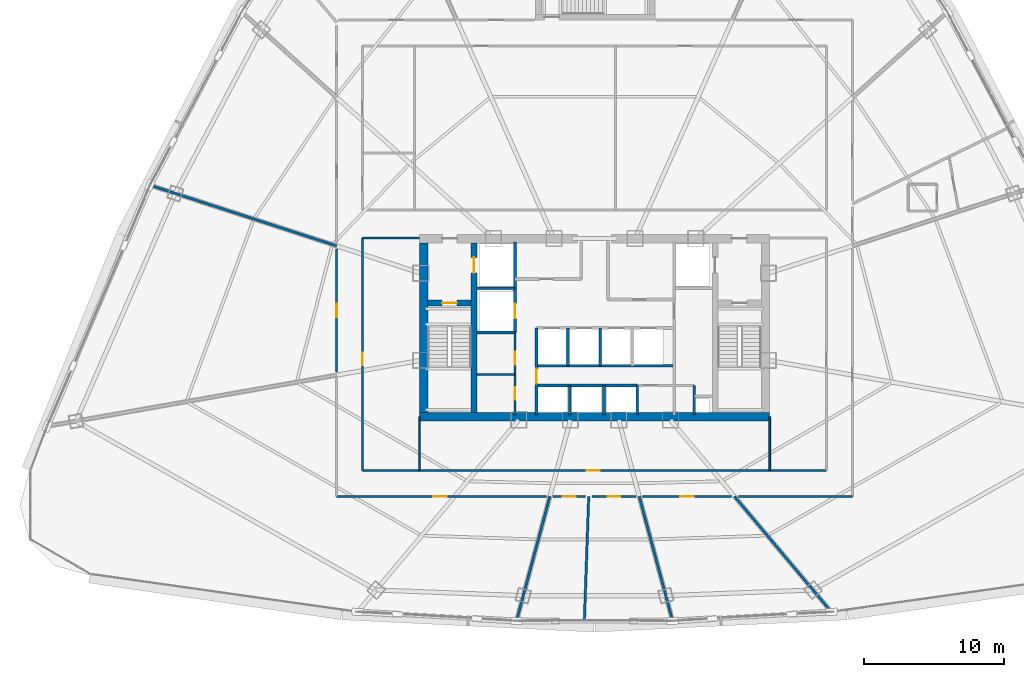
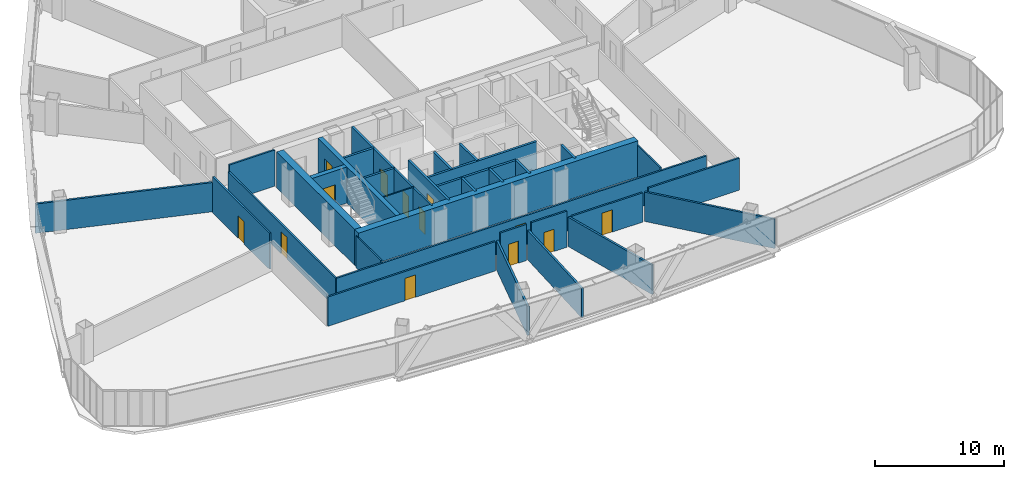
# One storey, part 35 of 42: 34 walls, 13 doors, 13 openings.
"""IFC4 building model written with IfcOpenShell, lengths in metres."""

from ifc_helpers import new_model, si_unit, direction, frame, frame_2d, origin, origin_with_axes, place, context, subcontext, project, spatial, rectangle, extrude, source, transform, mapped, material, layer, layer_set, type_object, element, fill, save


model = new_model("IFC4")

# Units and contexts
model_context = context("Model", 3, precision=1e-05, world=origin(), true_north=direction((0.0, 1.0)))
body_context = subcontext(model_context, "Body", "Model", "MODEL_VIEW")
ifc_project = project(units=[si_unit("LENGTHUNIT", "METRE"), si_unit("AREAUNIT", "SQUARE_METRE"), si_unit("VOLUMEUNIT", "CUBIC_METRE"), si_unit("PLANEANGLEUNIT", "RADIAN"), si_unit("MASSUNIT", "GRAM", prefix="KILO"), si_unit("THERMODYNAMICTEMPERATUREUNIT", "KELVIN"), si_unit("POWERUNIT", "WATT")], contexts=[model_context])

# Site, building, storey
site_placement = place(None, origin())
site = spatial("IfcSite", under=ifc_project, at=site_placement, CompositionType="ELEMENT")
building_placement = place(site_placement, origin())
building = spatial("IfcBuilding", under=site, at=building_placement, Name="Yunzhuo Pagoda Commons", CompositionType="ELEMENT")
storey_placement = place(building_placement, frame((0.0, 0.0, 129.830078125)))
storey = spatial("IfcBuildingStorey", under=building, at=storey_placement, Name="L32", CompositionType="ELEMENT", Elevation=129.830078125)

# Walls
ifc_material_1 = material(Name="Concrete C60", Category="concrete")
ifc_layer_1 = layer(ifc_material_1, 0.60009765625)
ifc_layer_set_1 = layer_set([ifc_layer_1], Name="Concrete C60")
wall_type_1 = type_object("IfcWallType", Name="W-C02 Mid Core Shear Wall 600", PredefinedType="SHEAR", material=ifc_layer_set_1)
wall_1_placement = place(storey_placement, frame((35.5, 27.5, 0.0), z_axis=(0.0, 0.0, 1.0), x_axis=(1.0, 0.0, 0.0)))
element("IfcWall", 1, at=wall_1_placement, inside=storey, type_object=wall_type_1, Name="L32 core shear wall S", PredefinedType="SHEAR", context=body_context, shape_type="SweptSolid", body=[
    extrude(rectangle(XDim=25.0, YDim=0.60009765625, at=frame_2d((12.5, 0.0))), origin(), (0.0, 0.0, 1.0), 3.419921875),
])
wall_2_placement = place(storey_placement, frame((35.800048828125, 27.800048828125, 0.0), z_axis=(0.0, 0.0, 1.0), x_axis=(0.0, 1.0, 0.0)))
element("IfcWall", 2, at=wall_2_placement, inside=storey, type_object=wall_type_1, Name="L32 core shear wall W", PredefinedType="SHEAR", context=body_context, shape_type="SweptSolid", body=[
    extrude(rectangle(XDim=12.099853515625, YDim=0.60009765625, at=frame_2d((6.0498046875, 0.0))), origin(), (0.0, 0.0, 1.0), 3.419921875),
])

# Wall, openings, doors
ifc_material_2 = material(Name="Gypsum plasterboard on acoustic stud")
ifc_layer_2 = layer(ifc_material_2, 0.155029296875)
ifc_layer_set_2 = layer_set([ifc_layer_2], Name="Gypsum plasterboard on acoustic stud")
wall_type_2 = type_object("IfcWallType", Name="W-COR2 Mid-Zone Rated Corridor Wall 155", PredefinedType="PARTITIONING", material=ifc_layer_set_2)
wall_3_placement = place(storey_placement, frame((42.320068359375, 27.60009765625, 0.0), z_axis=(0.0, 0.0, 1.0), x_axis=(0.0, 1.0, 0.0)))
wall_3 = element("IfcWall", 3, at=wall_3_placement, inside=storey, type_object=wall_type_2, Name="L32 interior wall IW-L32-CSWE", PredefinedType="PARTITIONING", context=body_context, shape_type="SweptSolid", body=[
    extrude(rectangle(XDim=5.89990234375, YDim=0.155029296875, at=frame_2d((2.949951171875, 0.0))), origin(), (0.0, 0.0, 1.0), 3.419921875),
])
opening_1_placement = place(wall_3_placement, frame((1.10009765625, 0.0, 0.0)))
opening_1 = element("IfcOpeningElement", 4, at=opening_1_placement, cuts=wall_3, Name="Opening D-03", PredefinedType="OPENING", context=body_context, shape_type="SweptSolid", body=[
    extrude(rectangle(XDim=0.89990234375, YDim=2.10009765625, at=frame_2d((0.449951171875, 1.050048828125))), frame((0.0, 0.08740234375, 0.0), z_axis=(0.0, -1.0, 0.0), x_axis=(1.0, 0.0, 0.0)), (0.0, 0.0, 1.0), 0.175048828125),
])
opening_2_placement = place(wall_3_placement, frame((3.60009765625, 0.0, 0.0)))
opening_2 = element("IfcOpeningElement", 5, at=opening_2_placement, cuts=wall_3, Name="Opening D-11", PredefinedType="OPENING", context=body_context, shape_type="SweptSolid", body=[
    extrude(rectangle(XDim=0.93994140625, YDim=2.10009765625, at=frame_2d((0.469970703125, 1.050048828125))), frame((0.0, 0.08740234375, 0.0), z_axis=(0.0, -1.0, 0.0), x_axis=(1.0, 0.0, 0.0)), (0.0, 0.0, 1.0), 0.175048828125),
])
ifc_material_3 = material(Name="Galvanized fire-resisting metal leaf")
door_type_1 = type_object("IfcDoorType", Name="D-03 Core Service Fire Door 900x2100", OperationType="NOTDEFINED", PredefinedType="DOOR", material=ifc_material_3)
shared_shape_1 = source(origin(), body_context, "Body", "SweptSolid", [
    extrude(rectangle(XDim=0.89990234375, YDim=2.10009765625, at=frame_2d((0.449951171875, 1.050048828125))), frame((0.0, 0.02490234375, 0.0), z_axis=(0.0, -1.0, 0.0), x_axis=(1.0, 0.0, 0.0)), (0.0, 0.0, 1.0), 0.050048828125),
])
door_1_placement = place(opening_1_placement, origin_with_axes())
door_1 = element("IfcDoor", 6, at=door_1_placement, inside=storey, type_object=door_type_1, Name="L32 housekeeping door", OperationType="SINGLE_SWING_RIGHT", OverallHeight=2.10009765625, OverallWidth=0.89990234375, PredefinedType="DOOR", context=body_context, shape_type="MappedRepresentation", body=[
    mapped(shared_shape_1, transform((0.0, 0.0, 0.0), scale=1.0)),
])
fill(opening_1, door_1)
door_type_2 = type_object("IfcDoorType", Name="D-11 Accessible Washroom Fire Door 940x2100", OperationType="NOTDEFINED", PredefinedType="DOOR", material=ifc_material_3)
shared_shape_2 = source(origin(), body_context, "Body", "SweptSolid", [
    extrude(rectangle(XDim=0.93994140625, YDim=2.10009765625, at=frame_2d((0.469970703125, 1.050048828125))), frame((0.0, 0.02490234375, 0.0), z_axis=(0.0, -1.0, 0.0), x_axis=(1.0, 0.0, 0.0)), (0.0, 0.0, 1.0), 0.050048828125),
])
door_2_placement = place(opening_2_placement, origin_with_axes())
door_2 = element("IfcDoor", 7, at=door_2_placement, inside=storey, type_object=door_type_2, Name="L32 core WC door", OperationType="SINGLE_SWING_RIGHT", OverallHeight=2.10009765625, OverallWidth=0.93994140625, PredefinedType="DOOR", context=body_context, shape_type="MappedRepresentation", body=[
    mapped(shared_shape_2, transform((0.0, 0.0, 0.0), scale=1.0)),
])
fill(opening_2, door_2)

# Wall, opening, door
wall_4_placement = place(storey_placement, frame((31.449951171875, 23.64990234375, 0.0), z_axis=(0.0, 0.0, 1.0), x_axis=(0.0, 1.0, 0.0)))
wall_4 = element("IfcWall", 8, at=wall_4_placement, inside=storey, type_object=wall_type_2, Name="L32 interior wall IW-L32-SFLW", PredefinedType="PARTITIONING", context=body_context, shape_type="SweptSolid", body=[
    extrude(rectangle(XDim=16.60009765625, YDim=0.155029296875, at=frame_2d((8.300048828125, 0.0))), origin(), (0.0, 0.0, 1.0), 2.77001953125),
])
opening_3_placement = place(wall_4_placement, frame((7.5, 0.0, 0.0)))
opening_3 = element("IfcOpeningElement", 9, at=opening_3_placement, cuts=wall_4, Name="Opening D-12", PredefinedType="OPENING", context=body_context, shape_type="SweptSolid", body=[
    extrude(rectangle(XDim=0.89990234375, YDim=2.080078125, at=frame_2d((0.449951171875, 1.0400390625))), frame((0.0, 0.08740234375, 0.0), z_axis=(0.0, -1.0, 0.0), x_axis=(1.0, 0.0, 0.0)), (0.0, 0.0, 1.0), 0.175048828125),
])
ifc_material_4 = material(Name="Powder-coated aluminium and timber acoustic leaf", Category="wood")
door_type_3 = type_object("IfcDoorType", Name="D-12 Quiet Study Interior Door 900x2080", OperationType="NOTDEFINED", PredefinedType="DOOR", material=ifc_material_4)
shared_shape_3 = source(origin(), body_context, "Body", "SweptSolid", [
    extrude(rectangle(XDim=0.89990234375, YDim=2.080078125, at=frame_2d((0.449951171875, 1.0400390625))), frame((0.0, 0.02490234375, 0.0), z_axis=(0.0, -1.0, 0.0), x_axis=(1.0, 0.0, 0.0)), (0.0, 0.0, 1.0), 0.050048828125),
])
door_3_placement = place(opening_3_placement, origin_with_axes())
door_3 = element("IfcDoor", 10, at=door_3_placement, inside=storey, type_object=door_type_3, Name="L32 west study workroom door", OperationType="SINGLE_SWING_LEFT", OverallHeight=2.080078125, OverallWidth=0.89990234375, PredefinedType="DOOR", context=body_context, shape_type="MappedRepresentation", body=[
    mapped(shared_shape_3, transform((0.0, 0.0, 0.0), scale=1.0)),
])
fill(opening_3, door_3)

wall_5_placement = place(storey_placement, frame((31.449951171875, 23.64990234375, 0.0), z_axis=(0.0, 0.0, 1.0), x_axis=(1.0, 0.0, 0.0)))
wall_5 = element("IfcWall", 11, at=wall_5_placement, inside=storey, type_object=wall_type_2, Name="L32 interior wall IW-L32-SFLS", PredefinedType="PARTITIONING", context=body_context, shape_type="SweptSolid", body=[
    extrude(rectangle(XDim=33.10009765625, YDim=0.155029296875, at=frame_2d((16.550048828125, 0.0))), origin(), (0.0, 0.0, 1.0), 2.77001953125),
])
opening_4_placement = place(wall_5_placement, frame((16.0, 0.0, 0.0)))
opening_4 = element("IfcOpeningElement", 12, at=opening_4_placement, cuts=wall_5, Name="Opening D-04", PredefinedType="OPENING", context=body_context, shape_type="SweptSolid", body=[
    extrude(rectangle(XDim=0.919921875, YDim=2.10009765625, at=frame_2d((0.4599609375, 1.050048828125))), frame((0.0, 0.08740234375, 0.0), z_axis=(0.0, -1.0, 0.0), x_axis=(1.0, 0.0, 0.0)), (0.0, 0.0, 1.0), 0.175048828125),
])
door_type_4 = type_object("IfcDoorType", Name="D-04 Bedroom & Study Interior Door 920x2100", OperationType="NOTDEFINED", PredefinedType="DOOR", material=ifc_material_4)
shared_shape_4 = source(origin(), body_context, "Body", "SweptSolid", [
    extrude(rectangle(XDim=0.919921875, YDim=2.10009765625, at=frame_2d((0.4599609375, 1.050048828125))), frame((0.0, 0.02490234375, 0.0), z_axis=(0.0, -1.0, 0.0), x_axis=(1.0, 0.0, 0.0)), (0.0, 0.0, 1.0), 0.050048828125),
])
door_4_placement = place(opening_4_placement, frame((0.919921875, 0.0, 0.0), z_axis=(0.0, 0.0, 1.0), x_axis=(-1.0, 0.0, 0.0)))
door_4 = element("IfcDoor", 13, at=door_4_placement, inside=storey, type_object=door_type_4, Name="L32 south seminar room door", OperationType="SINGLE_SWING_RIGHT", OverallHeight=2.10009765625, OverallWidth=0.919921875, PredefinedType="DOOR", context=body_context, shape_type="MappedRepresentation", body=[
    mapped(shared_shape_4, transform((0.0, 0.0, 0.0), scale=1.0)),
])
fill(opening_4, door_4)

# Wall
wall_6_placement = place(storey_placement, frame((31.449951171875, 40.25, 0.0), z_axis=(0.0, 0.0, 1.0), x_axis=(1.0, 0.0, 0.0)))
element("IfcWall", 14, at=wall_6_placement, inside=storey, type_object=wall_type_2, Name="L32 interior wall IW-L32-SFLNW", PredefinedType="PARTITIONING", context=body_context, shape_type="SweptSolid", body=[
    extrude(rectangle(XDim=4.050048828125, YDim=0.155029296875, at=frame_2d((2.02490234375, 0.0))), origin(), (0.0, 0.0, 1.0), 3.419921875),
])

# Wall, opening, door
wall_7_placement = place(storey_placement, frame((29.60009765625, 30.67529296875, 0.0), z_axis=(0.0, 0.0, 1.0), x_axis=(0.0, 1.0, 0.0)))
wall_7 = element("IfcWall", 15, at=wall_7_placement, inside=storey, type_object=wall_type_2, Name="L32 interior wall IW-L32-CWL02", PredefinedType="PARTITIONING", context=body_context, shape_type="SweptSolid", body=[
    extrude(rectangle(XDim=8.783447265625, YDim=0.155029296875, at=frame_2d((4.3916015625, 0.0))), origin(), (0.0, 0.0, 1.0), 3.419921875),
])
opening_5_placement = place(wall_7_placement, frame((3.916748046875, 0.0, 0.0)))
opening_5 = element("IfcOpeningElement", 16, at=opening_5_placement, cuts=wall_7, Name="Opening D-07", PredefinedType="OPENING", context=body_context, shape_type="SweptSolid", body=[
    extrude(rectangle(XDim=0.9599609375, YDim=2.1201171875, at=frame_2d((0.47998046875, 1.06005859375))), frame((0.0, 0.08740234375, 0.0), z_axis=(0.0, -1.0, 0.0), x_axis=(1.0, 0.0, 0.0)), (0.0, 0.0, 1.0), 0.175048828125),
])
door_type_5 = type_object("IfcDoorType", Name="D-07 Mid-Zone Suite Entrance Fire Door 960x2120", OperationType="NOTDEFINED", PredefinedType="DOOR", material=ifc_material_3)
shared_shape_5 = source(origin(), body_context, "Body", "SweptSolid", [
    extrude(rectangle(XDim=0.9599609375, YDim=2.1201171875, at=frame_2d((0.47998046875, 1.06005859375))), frame((0.0, 0.02490234375, 0.0), z_axis=(0.0, -1.0, 0.0), x_axis=(1.0, 0.0, 0.0)), (0.0, 0.0, 1.0), 0.050048828125),
])
door_5_placement = place(opening_5_placement, origin_with_axes())
door_5 = element("IfcDoor", 17, at=door_5_placement, inside=storey, type_object=door_type_5, Name="L32 unit 08 entrance door", OperationType="SINGLE_SWING_RIGHT", OverallHeight=2.1201171875, OverallWidth=0.9599609375, PredefinedType="DOOR", context=body_context, shape_type="MappedRepresentation", body=[
    mapped(shared_shape_5, transform((0.0, 0.0, 0.0), scale=1.0)),
])
fill(opening_5, door_5)

# Wall
wall_8_placement = place(storey_placement, frame((66.39990234375, 21.800048828125, 0.0), z_axis=(0.0, 0.0, 1.0), x_axis=(-1.0, 0.0, 0.0)))
element("IfcWall", 18, at=wall_8_placement, inside=storey, type_object=wall_type_2, Name="L32 interior wall IW-L32-CWL13", PredefinedType="PARTITIONING", context=body_context, shape_type="SweptSolid", body=[
    extrude(rectangle(XDim=8.12744140625, YDim=0.155029296875, at=frame_2d((4.063720703125, 0.0))), origin(), (0.0, 0.0, 1.0), 3.02001953125),
])

# Wall, opening, door
wall_9_placement = place(storey_placement, frame((57.765380859375, 21.800048828125, 0.0), z_axis=(0.0, 0.0, 1.0), x_axis=(-1.0, 0.0, 0.0)))
wall_9 = element("IfcWall", 19, at=wall_9_placement, inside=storey, type_object=wall_type_2, Name="L32 interior wall IW-L32-CWL14", PredefinedType="PARTITIONING", context=body_context, shape_type="SweptSolid", body=[
    extrude(rectangle(XDim=6.348876953125, YDim=0.155029296875, at=frame_2d((3.17431640625, 0.0))), origin(), (0.0, 0.0, 1.0), 2.77001953125),
])
opening_6_placement = place(wall_9_placement, frame((2.703369140625, 0.0, 0.0)))
opening_6 = element("IfcOpeningElement", 20, at=opening_6_placement, cuts=wall_9, Name="Opening D-07", PredefinedType="OPENING", context=body_context, shape_type="SweptSolid", body=[
    extrude(rectangle(XDim=0.9599609375, YDim=2.1201171875, at=frame_2d((0.47998046875, 1.06005859375))), frame((0.0, 0.08740234375, 0.0), z_axis=(0.0, -1.0, 0.0), x_axis=(1.0, 0.0, 0.0)), (0.0, 0.0, 1.0), 0.175048828125),
])
door_6_placement = place(opening_6_placement, origin_with_axes())
door_6 = element("IfcDoor", 21, at=door_6_placement, inside=storey, type_object=door_type_5, Name="L32 unit 12 entrance door", OperationType="SINGLE_SWING_RIGHT", OverallHeight=2.1201171875, OverallWidth=0.9599609375, PredefinedType="DOOR", context=body_context, shape_type="MappedRepresentation", body=[
    mapped(shared_shape_5, transform((0.0, 0.0, 0.0), scale=1.0)),
])
fill(opening_6, door_6)

wall_10_placement = place(storey_placement, frame((50.96875, 21.800048828125, 0.0), z_axis=(0.0, 0.0, 1.0), x_axis=(-1.0, 0.0, 0.0)))
wall_10 = element("IfcWall", 22, at=wall_10_placement, inside=storey, type_object=wall_type_2, Name="L32 interior wall IW-L32-CWL15", PredefinedType="PARTITIONING", context=body_context, shape_type="SweptSolid", body=[
    extrude(rectangle(XDim=3.16455078125, YDim=0.155029296875, at=frame_2d((1.582275390625, 0.0))), origin(), (0.0, 0.0, 1.0), 3.419921875),
])
opening_7_placement = place(wall_10_placement, frame((1.122314453125, 0.0, 0.0)))
opening_7 = element("IfcOpeningElement", 23, at=opening_7_placement, cuts=wall_10, Name="Opening D-04", PredefinedType="OPENING", context=body_context, shape_type="SweptSolid", body=[
    extrude(rectangle(XDim=0.919921875, YDim=2.10009765625, at=frame_2d((0.4599609375, 1.050048828125))), frame((0.0, 0.08740234375, 0.0), z_axis=(0.0, -1.0, 0.0), x_axis=(1.0, 0.0, 0.0)), (0.0, 0.0, 1.0), 0.175048828125),
])
door_7_placement = place(opening_7_placement, origin_with_axes())
door_7 = element("IfcDoor", 24, at=door_7_placement, inside=storey, type_object=door_type_4, Name="L32 fellow workroom 11 door", OperationType="SINGLE_SWING_LEFT", OverallHeight=2.10009765625, OverallWidth=0.919921875, PredefinedType="DOOR", context=body_context, shape_type="MappedRepresentation", body=[
    mapped(shared_shape_4, transform((0.0, 0.0, 0.0), scale=1.0)),
])
fill(opening_7, door_7)

wall_11_placement = place(storey_placement, frame((47.3642578125, 21.800048828125, 0.0), z_axis=(0.0, 0.0, 1.0), x_axis=(-1.0, 0.0, 0.0)))
wall_11 = element("IfcWall", 25, at=wall_11_placement, inside=storey, type_object=wall_type_2, Name="L32 interior wall IW-L32-CWL16", PredefinedType="PARTITIONING", context=body_context, shape_type="SweptSolid", body=[
    extrude(rectangle(XDim=2.3330078125, YDim=0.155029296875, at=frame_2d((1.16650390625, 0.0))), origin(), (0.0, 0.0, 1.0), 3.419921875),
])
opening_8_placement = place(wall_11_placement, frame((0.706298828125, 0.0, 0.0)))
opening_8 = element("IfcOpeningElement", 26, at=opening_8_placement, cuts=wall_11, Name="Opening D-04", PredefinedType="OPENING", context=body_context, shape_type="SweptSolid", body=[
    extrude(rectangle(XDim=0.919921875, YDim=2.10009765625, at=frame_2d((0.4599609375, 1.050048828125))), frame((0.0, 0.08740234375, 0.0), z_axis=(0.0, -1.0, 0.0), x_axis=(1.0, 0.0, 0.0)), (0.0, 0.0, 1.0), 0.175048828125),
])
door_8_placement = place(opening_8_placement, origin_with_axes())
door_8 = element("IfcDoor", 27, at=door_8_placement, inside=storey, type_object=door_type_4, Name="L32 fellow workroom 10 door", OperationType="SINGLE_SWING_RIGHT", OverallHeight=2.10009765625, OverallWidth=0.919921875, PredefinedType="DOOR", context=body_context, shape_type="MappedRepresentation", body=[
    mapped(shared_shape_4, transform((0.0, 0.0, 0.0), scale=1.0)),
])
fill(opening_8, door_8)

wall_12_placement = place(storey_placement, frame((44.58349609375, 21.800048828125, 0.0), z_axis=(0.0, 0.0, 1.0), x_axis=(-1.0, 0.0, 0.0)))
wall_12 = element("IfcWall", 28, at=wall_12_placement, inside=storey, type_object=wall_type_2, Name="L32 interior wall IW-L32-CWL17", PredefinedType="PARTITIONING", context=body_context, shape_type="SweptSolid", body=[
    extrude(rectangle(XDim=14.9833984375, YDim=0.155029296875, at=frame_2d((7.49169921875, 0.0))), origin(), (0.0, 0.0, 1.0), 2.77001953125),
])
opening_9_placement = place(wall_12_placement, frame((7.1328125, 0.0, 0.0)))
opening_9 = element("IfcOpeningElement", 29, at=opening_9_placement, cuts=wall_12, Name="Opening D-07", PredefinedType="OPENING", context=body_context, shape_type="SweptSolid", body=[
    extrude(rectangle(XDim=0.9599609375, YDim=2.1201171875, at=frame_2d((0.47998046875, 1.06005859375))), frame((0.0, 0.08740234375, 0.0), z_axis=(0.0, -1.0, 0.0), x_axis=(1.0, 0.0, 0.0)), (0.0, 0.0, 1.0), 0.175048828125),
])
door_9_placement = place(opening_9_placement, origin_with_axes())
door_9 = element("IfcDoor", 30, at=door_9_placement, inside=storey, type_object=door_type_5, Name="L32 Shared Resident Kitchen and Pantry door", OperationType="SINGLE_SWING_LEFT", OverallHeight=2.1201171875, OverallWidth=0.9599609375, PredefinedType="DOOR", context=body_context, shape_type="MappedRepresentation", body=[
    mapped(shared_shape_5, transform((0.0, 0.0, 0.0), scale=1.0)),
])
fill(opening_9, door_9)

# Walls
ifc_layer_3 = layer(ifc_material_2, 0.1201171875)
ifc_layer_set_3 = layer_set([ifc_layer_3], Name="Gypsum plasterboard on acoustic stud")
wall_type_3 = type_object("IfcWallType", Name="W-PRT1 Suite & Bathroom Partition 120", PredefinedType="PARTITIONING", material=ifc_layer_set_3)
wall_13_placement = place(storey_placement, frame((39.60009765625, 30.5, 0.0), z_axis=(0.0, 0.0, 1.0), x_axis=(1.0, 0.0, 0.0)))
element("IfcWall", 31, at=wall_13_placement, inside=storey, type_object=wall_type_3, Name="L32 interior wall IW-L32-CB1", PredefinedType="PARTITIONING", context=body_context, shape_type="SweptSolid", body=[
    extrude(rectangle(XDim=2.719970703125, YDim=0.1201171875, at=frame_2d((1.35986328125, 0.0))), origin(), (0.0, 0.0, 1.0), 3.419921875),
])
for number, where, z_axis, x_axis, name in (
    (32, (35.5, 23.64990234375, 0.0), (0.0, 0.0, 1.0), (0.0, 1.0, 0.0), "L32 interior wall IW-L32-SFLD1"),
    (33, (60.5, 23.64990234375, 0.0), (0.0, 0.0, 1.0), (0.0, 1.0, 0.0), "L32 interior wall IW-L32-SFLD2"),
):
    element("IfcWall", number, at=place(storey_placement, frame(where, z_axis=z_axis, x_axis=x_axis)), inside=storey, type_object=wall_type_3, Name=name, PredefinedType="PARTITIONING", context=body_context, shape_type="SweptSolid", body=[
        extrude(rectangle(XDim=3.85009765625, YDim=0.1201171875, at=frame_2d((1.925048828125, 0.0))), origin(), (0.0, 0.0, 1.0), 3.02001953125),
    ])
ifc_layer_4 = layer(ifc_material_2, 0.175048828125)
ifc_layer_set_4 = layer_set([ifc_layer_4], Name="Gypsum plasterboard on acoustic stud")
wall_type_4 = type_object("IfcWallType", Name="W-PRT3 Mid-Zone Demising Wall 175", PredefinedType="PARTITIONING", material=ifc_layer_set_4)
wall_14_placement = place(storey_placement, frame((29.60009765625, 39.678466796875, 0.0), z_axis=(0.0, 0.0, 1.0), x_axis=(-0.95105622709, 0.309017884457, 0.0)))
element("IfcWall", 34, at=wall_14_placement, inside=storey, type_object=wall_type_4, Name="L32 interior wall IW-L32-RAD08", PredefinedType="PARTITIONING", context=body_context, shape_type="SweptSolid", body=[
    extrude(rectangle(XDim=14.006103515625, YDim=0.175048828125, at=frame_2d((7.0029296875, 0.0))), origin(), (0.0, 0.0, 1.0), 2.77001953125),
])
wall_15_placement = place(storey_placement, frame((44.811279296875, 21.800048828125, 0.0), z_axis=(0.0, 0.0, 1.0), x_axis=(-0.258799340884, -0.965931105803, 0.0)))
element("IfcWall", 35, at=wall_15_placement, inside=storey, type_object=wall_type_4, Name="L32 interior wall IW-L32-RAD10", PredefinedType="PARTITIONING", context=body_context, shape_type="SweptSolid", body=[
    extrude(rectangle(XDim=9.19580078125, YDim=0.175048828125, at=frame_2d((4.597900390625, 0.0))), origin(), (0.0, 0.0, 1.0), 2.77001953125),
])
wall_16_placement = place(storey_placement, frame((47.58447265625, 21.800048828125, 0.0), z_axis=(0.0, 0.0, 1.0), x_axis=(-0.034885165757, -0.999391327364, 0.0)))
element("IfcWall", 36, at=wall_16_placement, inside=storey, type_object=wall_type_4, Name="L32 interior wall IW-L32-RAD11", PredefinedType="PARTITIONING", context=body_context, shape_type="SweptSolid", body=[
    extrude(rectangle(XDim=8.887939453125, YDim=0.175048828125, at=frame_2d((4.44384765625, 0.0))), origin(), (0.0, 0.0, 1.0), 2.77001953125),
])
wall_17_placement = place(storey_placement, frame((51.188720703125, 21.800048828125, 0.0), z_axis=(0.0, 0.0, 1.0), x_axis=(0.258799340884, -0.965931105803, 0.0)))
element("IfcWall", 37, at=wall_17_placement, inside=storey, type_object=wall_type_4, Name="L32 interior wall IW-L32-RAD12", PredefinedType="PARTITIONING", context=body_context, shape_type="SweptSolid", body=[
    extrude(rectangle(XDim=9.19580078125, YDim=0.175048828125, at=frame_2d((4.597900390625, 0.0))), origin(), (0.0, 0.0, 1.0), 2.77001953125),
])
wall_18_placement = place(storey_placement, frame((57.9853515625, 21.800048828125, 0.0), z_axis=(0.0, 0.0, 1.0), x_axis=(0.642770875896, -0.766058484125, 0.0)))
element("IfcWall", 38, at=wall_18_placement, inside=storey, type_object=wall_type_4, Name="L32 interior wall IW-L32-RAD13", PredefinedType="PARTITIONING", context=body_context, shape_type="SweptSolid", body=[
    extrude(rectangle(XDim=10.754638671875, YDim=0.175048828125, at=frame_2d((5.37744140625, 0.0))), origin(), (0.0, 0.0, 1.0), 2.77001953125),
])

# Wall, opening, door
ifc_layer_5 = layer(ifc_material_1, 0.39990234375)
ifc_layer_set_5 = layer_set([ifc_layer_5], Name="Concrete C60")
wall_type_5 = type_object("IfcWallType", Name="W-S01 Internal Core Shear Web 400", PredefinedType="SHEAR", material=ifc_layer_set_5)
wall_19_placement = place(storey_placement, frame((39.39990234375, 27.800048828125, 0.0), z_axis=(0.0, 0.0, 1.0), x_axis=(0.0, 1.0, 0.0)))
wall_19 = element("IfcWall", 39, at=wall_19_placement, inside=storey, type_object=wall_type_5, Name="L32 core shear wall WEBW", PredefinedType="SHEAR", context=body_context, shape_type="SweptSolid", body=[
    extrude(rectangle(XDim=12.099853515625, YDim=0.39990234375, at=frame_2d((6.0498046875, 0.0))), origin(), (0.0, 0.0, 1.0), 3.419921875),
])
opening_10_placement = place(wall_19_placement, frame((9.949951171875, 0.0, 0.0)))
opening_10 = element("IfcOpeningElement", 40, at=opening_10_placement, cuts=wall_19, Name="Opening LD-01", PredefinedType="OPENING", context=body_context, shape_type="SweptSolid", body=[
    extrude(rectangle(XDim=1.10009765625, YDim=2.10009765625, at=frame_2d((0.550048828125, 1.050048828125))), frame((0.0, 0.2099609375, 0.0), z_axis=(0.0, -1.0, 0.0), x_axis=(1.0, 0.0, 0.0)), (0.0, 0.0, 1.0), 0.419921875),
])
door_type_6 = type_object("IfcDoorType", Name="LD-01 Firefighting Lift Landing Door 1100x2100", OperationType="DOUBLE_DOOR_SLIDING", PredefinedType="DOOR", material=ifc_material_3)
shared_shape_6 = source(origin(), body_context, "Body", "SweptSolid", [
    extrude(rectangle(XDim=1.10009765625, YDim=2.10009765625, at=frame_2d((0.550048828125, 1.050048828125))), frame((0.0, 0.02490234375, 0.0), z_axis=(0.0, -1.0, 0.0), x_axis=(1.0, 0.0, 0.0)), (0.0, 0.0, 1.0), 0.050048828125),
])
door_10_placement = place(opening_10_placement, frame((1.10009765625, 0.0, 0.0), z_axis=(0.0, 0.0, 1.0), x_axis=(-1.0, 0.0, 0.0)))
door_10 = element("IfcDoor", 41, at=door_10_placement, inside=storey, type_object=door_type_6, Name="L32 Firefighting lift FL-1 landing door", OperationType="DOUBLE_DOOR_SLIDING", OverallHeight=2.10009765625, OverallWidth=1.10009765625, PredefinedType="DOOR", context=body_context, shape_type="MappedRepresentation", body=[
    mapped(shared_shape_6, transform((0.0, 0.0, 0.0), scale=1.0)),
])
fill(opening_10, door_10)

wall_20_placement = place(storey_placement, frame((36.10009765625, 35.60009765625, 0.0), z_axis=(0.0, 0.0, 1.0), x_axis=(1.0, 0.0, 0.0)))
wall_20 = element("IfcWall", 42, at=wall_20_placement, inside=storey, type_object=wall_type_5, Name="L32 core shear wall STW", PredefinedType="SHEAR", context=body_context, shape_type="SweptSolid", body=[
    extrude(rectangle(XDim=3.099853515625, YDim=0.39990234375, at=frame_2d((1.5498046875, 0.0))), origin(), (0.0, 0.0, 1.0), 3.419921875),
])
opening_11_placement = place(wall_20_placement, frame((1.02001953125, 0.0, 0.0)))
opening_11 = element("IfcOpeningElement", 43, at=opening_11_placement, cuts=wall_20, Name="Opening D-01", PredefinedType="OPENING", context=body_context, shape_type="SweptSolid", body=[
    extrude(rectangle(XDim=1.050048828125, YDim=2.10009765625, at=frame_2d((0.52490234375, 1.050048828125))), frame((0.0, 0.2099609375, 0.0), z_axis=(0.0, -1.0, 0.0), x_axis=(1.0, 0.0, 0.0)), (0.0, 0.0, 1.0), 0.419921875),
])
door_type_7 = type_object("IfcDoorType", Name="D-01 Smokeproof Stair Fire Door 1050x2100", OperationType="NOTDEFINED", PredefinedType="DOOR", material=ifc_material_3)
shared_shape_7 = source(origin(), body_context, "Body", "SweptSolid", [
    extrude(rectangle(XDim=1.050048828125, YDim=2.10009765625, at=frame_2d((0.52490234375, 1.050048828125))), frame((0.0, 0.02490234375, 0.0), z_axis=(0.0, -1.0, 0.0), x_axis=(1.0, 0.0, 0.0)), (0.0, 0.0, 1.0), 0.050048828125),
])
door_11_placement = place(opening_11_placement, frame((1.050048828125, 0.0, 0.0), z_axis=(0.0, 0.0, 1.0), x_axis=(-1.0, 0.0, 0.0)))
door_11 = element("IfcDoor", 44, at=door_11_placement, inside=storey, type_object=door_type_7, Name="L32 Stair ST1 fire door", OperationType="SINGLE_SWING_LEFT", OverallHeight=2.10009765625, OverallWidth=1.050048828125, PredefinedType="DOOR", context=body_context, shape_type="MappedRepresentation", body=[
    mapped(shared_shape_7, transform((0.0, 0.0, 0.0), scale=1.0)),
])
fill(opening_11, door_11)

ifc_material_5 = material(Name="Concrete C40", Category="concrete")
ifc_layer_6 = layer(ifc_material_5, 0.199951171875)
ifc_layer_set_6 = layer_set([ifc_layer_6], Name="Concrete C40")
wall_type_6 = type_object("IfcWallType", Name="W-SHF Shaft & Stair Enclosure Wall 200", PredefinedType="SOLIDWALL", material=ifc_layer_set_6)
wall_21_placement = place(storey_placement, frame((42.320068359375, 33.5, 0.0), z_axis=(0.0, 0.0, 1.0), x_axis=(0.0, 1.0, 0.0)))
wall_21 = element("IfcWall", 45, at=wall_21_placement, inside=storey, type_object=wall_type_6, Name="L32 interior wall IW-L32-FL1E", PredefinedType="SOLIDWALL", context=body_context, shape_type="SweptSolid", body=[
    extrude(rectangle(XDim=6.449951171875, YDim=0.199951171875, at=frame_2d((3.22509765625, 0.0))), origin(), (0.0, 0.0, 1.0), 3.419921875),
])
opening_12_placement = place(wall_21_placement, frame((1.0, 0.0, 0.0)))
opening_12 = element("IfcOpeningElement", 46, at=opening_12_placement, cuts=wall_21, Name="Opening LD-02", PredefinedType="OPENING", context=body_context, shape_type="SweptSolid", body=[
    extrude(rectangle(XDim=1.050048828125, YDim=2.10009765625, at=frame_2d((0.52490234375, 1.050048828125))), frame((0.0, 0.10986328125, 0.0), z_axis=(0.0, -1.0, 0.0), x_axis=(1.0, 0.0, 0.0)), (0.0, 0.0, 1.0), 0.219970703125),
])
door_type_8 = type_object("IfcDoorType", Name="LD-02 Passenger Lift Landing Door 1050x2100", OperationType="DOUBLE_DOOR_SLIDING", PredefinedType="DOOR", material=ifc_material_3)
door_12_placement = place(opening_12_placement, origin_with_axes())
door_12 = element("IfcDoor", 47, at=door_12_placement, inside=storey, type_object=door_type_8, Name="L32 Service lift SL-1 landing door", OperationType="DOUBLE_DOOR_SLIDING", OverallHeight=2.10009765625, OverallWidth=1.050048828125, PredefinedType="DOOR", context=body_context, shape_type="MappedRepresentation", body=[
    mapped(shared_shape_7, transform((0.0, 0.0, 0.0), scale=1.0)),
])
fill(opening_12, door_12)

# Walls
for number, where, z_axis, x_axis, name in (
    (48, (39.60009765625, 36.64990234375, 0.0), (0.0, 0.0, 1.0), (1.0, 0.0, 0.0), "L32 interior wall IW-L32-FL1S"),
    (49, (39.60009765625, 33.5, 0.0), (0.0, 0.0, 1.0), (1.0, 0.0, 0.0), "L32 interior wall IW-L32-SL1S"),
):
    element("IfcWall", number, at=place(storey_placement, frame(where, z_axis=z_axis, x_axis=x_axis)), inside=storey, type_object=wall_type_6, Name=name, PredefinedType="SOLIDWALL", context=body_context, shape_type="SweptSolid", body=[
        extrude(rectangle(XDim=2.719970703125, YDim=0.199951171875, at=frame_2d((1.35986328125, 0.0))), origin(), (0.0, 0.0, 1.0), 3.419921875),
    ])

# Wall, opening, door
wall_22_placement = place(storey_placement, frame((43.85009765625, 27.60009765625, 0.0), z_axis=(0.0, 0.0, 1.0), x_axis=(0.0, 1.0, 0.0)))
wall_22 = element("IfcWall", 50, at=wall_22_placement, inside=storey, type_object=wall_type_6, Name="L32 interior wall IW-L32-PLMW", PredefinedType="SOLIDWALL", context=body_context, shape_type="SweptSolid", body=[
    extrude(rectangle(XDim=6.219970703125, YDim=0.199951171875, at=frame_2d((3.10986328125, 0.0))), origin(), (0.0, 0.0, 1.0), 3.419921875),
])
opening_13_placement = place(wall_22_placement, frame((2.25, 0.0, 0.0)))
opening_13 = element("IfcOpeningElement", 51, at=opening_13_placement, cuts=wall_22, Name="Opening D-02", PredefinedType="OPENING", context=body_context, shape_type="SweptSolid", body=[
    extrude(rectangle(XDim=1.050048828125, YDim=2.10009765625, at=frame_2d((0.52490234375, 1.050048828125))), frame((0.0, 0.10986328125, 0.0), z_axis=(0.0, -1.0, 0.0), x_axis=(1.0, 0.0, 0.0)), (0.0, 0.0, 1.0), 0.219970703125),
])
door_type_9 = type_object("IfcDoorType", Name="D-02 Firefighting Lobby & Refuge Fire Door 1050x2100", OperationType="NOTDEFINED", PredefinedType="DOOR", material=ifc_material_3)
door_13_placement = place(opening_13_placement, frame((1.050048828125, 0.0, 0.0), z_axis=(0.0, 0.0, 1.0), x_axis=(-1.0, 0.0, 0.0)))
door_13 = element("IfcDoor", 52, at=door_13_placement, inside=storey, type_object=door_type_9, Name="L32 High-bank hall west door", OperationType="SINGLE_SWING_LEFT", OverallHeight=2.10009765625, OverallWidth=1.050048828125, PredefinedType="DOOR", context=body_context, shape_type="MappedRepresentation", body=[
    mapped(shared_shape_7, transform((0.0, 0.0, 0.0), scale=1.0)),
])
fill(opening_13, door_13)

# Walls
for number, where, z_axis, x_axis, name in (
    (53, (46.10009765625, 31.1201171875, 0.0), (0.0, 0.0, 1.0), (0.0, 1.0, 0.0), "L32 interior wall IW-L32-PLMD1"),
    (54, (48.39990234375, 31.1201171875, 0.0), (0.0, 0.0, 1.0), (0.0, 1.0, 0.0), "L32 interior wall IW-L32-PLMD2"),
):
    element("IfcWall", number, at=place(storey_placement, frame(where, z_axis=z_axis, x_axis=x_axis)), inside=storey, type_object=wall_type_6, Name=name, PredefinedType="SOLIDWALL", context=body_context, shape_type="SweptSolid", body=[
        extrude(rectangle(XDim=2.699951171875, YDim=0.199951171875, at=frame_2d((1.35009765625, 0.0))), origin(), (0.0, 0.0, 1.0), 3.419921875),
    ])
wall_23_placement = place(storey_placement, frame((43.85009765625, 29.719970703125, 0.0), z_axis=(0.0, 0.0, 1.0), x_axis=(1.0, 0.0, 0.0)))
element("IfcWall", 55, at=wall_23_placement, inside=storey, type_object=wall_type_6, Name="L32 interior wall IW-L32-PLHN", PredefinedType="SOLIDWALL", context=body_context, shape_type="SweptSolid", body=[
    extrude(rectangle(XDim=7.199951171875, YDim=0.199951171875, at=frame_2d((3.60009765625, 0.0))), origin(), (0.0, 0.0, 1.0), 3.419921875),
])
wall_24_placement = place(storey_placement, frame((51.050048828125, 27.60009765625, 0.0), z_axis=(0.0, 0.0, 1.0), x_axis=(0.0, 1.0, 0.0)))
element("IfcWall", 56, at=wall_24_placement, inside=storey, type_object=wall_type_6, Name="L32 interior wall IW-L32-PLHE", PredefinedType="SOLIDWALL", context=body_context, shape_type="SweptSolid", body=[
    extrude(rectangle(XDim=2.119873046875, YDim=0.199951171875, at=frame_2d((1.06005859375, 0.0))), origin(), (0.0, 0.0, 1.0), 3.419921875),
])
wall_25_placement = place(storey_placement, frame((43.85009765625, 31.1201171875, 0.0), z_axis=(0.0, 0.0, 1.0), x_axis=(1.0, 0.0, 0.0)))
element("IfcWall", 57, at=wall_25_placement, inside=storey, type_object=wall_type_6, Name="L32 interior wall IW-L32-PLMS2", PredefinedType="SOLIDWALL", context=body_context, shape_type="SweptSolid", body=[
    extrude(rectangle(XDim=9.829833984375, YDim=0.199951171875, at=frame_2d((4.9150390625, 0.0))), origin(), (0.0, 0.0, 1.0), 3.419921875),
])
for number, where, z_axis, x_axis, name in (
    (58, (46.22509765625, 27.60009765625, 0.0), (0.0, 0.0, 1.0), (0.0, 1.0, 0.0), "L32 interior wall IW-L32-PLHD1"),
    (59, (48.675048828125, 27.60009765625, 0.0), (0.0, 0.0, 1.0), (0.0, 1.0, 0.0), "L32 interior wall IW-L32-PLHD2"),
    (60, (55.1201171875, 27.60009765625, 0.0), (0.0, 0.0, 1.0), (0.0, 1.0, 0.0), "L32 interior wall IW-L32-RSHFW"),
):
    element("IfcWall", number, at=place(storey_placement, frame(where, z_axis=z_axis, x_axis=x_axis)), inside=storey, type_object=wall_type_6, Name=name, PredefinedType="SOLIDWALL", context=body_context, shape_type="SweptSolid", body=[
        extrude(rectangle(XDim=2.119873046875, YDim=0.199951171875, at=frame_2d((1.06005859375, 0.0))), origin(), (0.0, 0.0, 1.0), 3.419921875),
    ])

save(model, "model.ifc")
